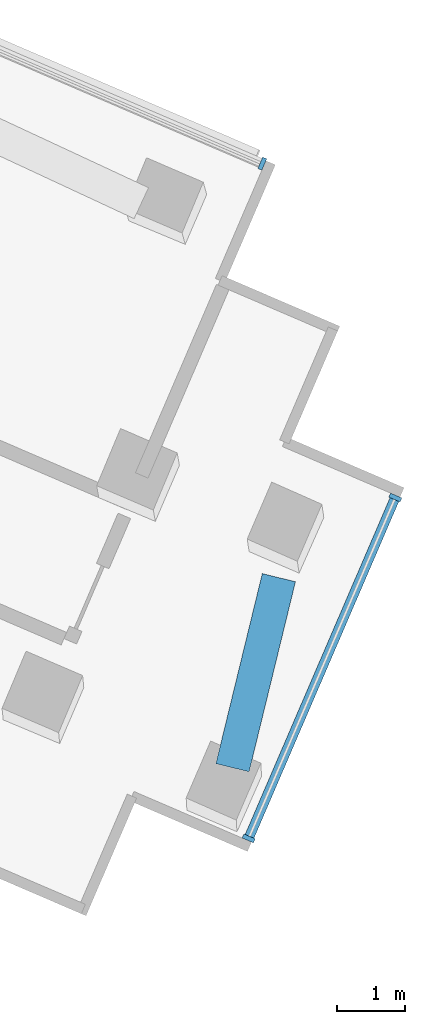
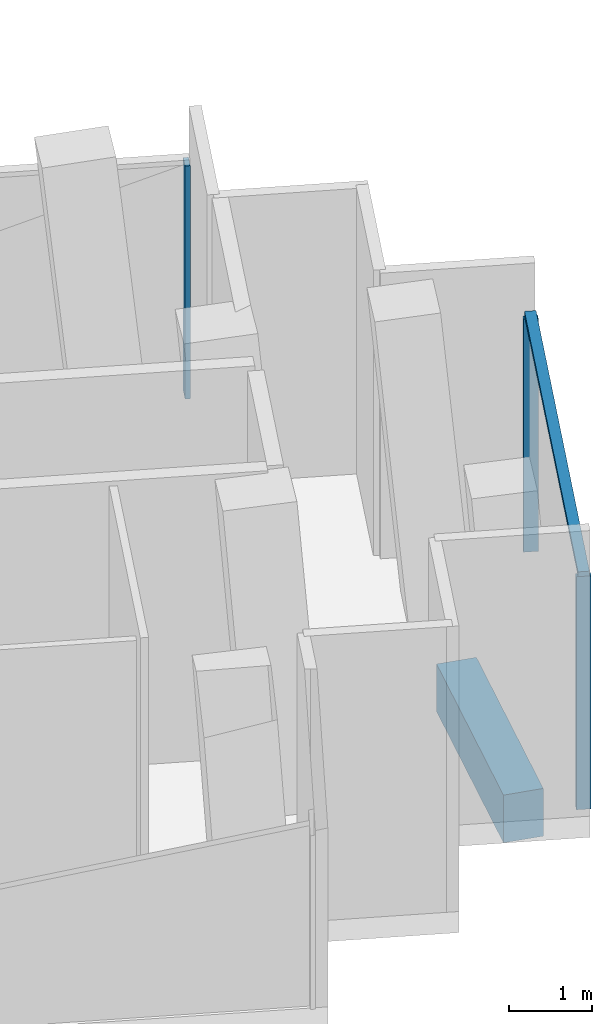
# One storey, part 8 of 17: 4 members, 1 beam, 2 elements without a shape of their own.
"""IFC4 building model written with IfcOpenShell, lengths in metres."""

import ifcopenshell
import ifcopenshell.guid

model = None  # the IFC model being written
_history = None  # IfcOwnerHistory: only IFC2X3 demands one
_inside = {}  # id of a spatial element -> (the spatial element, [elements in it])
_under = {}  # id of a project, library or spatial element -> (it, [spatial elements below it])
_declared = {}  # id of a project -> (the project, [libraries it declares])
_typed = {}  # id of a type object -> (the type object, [elements of that type])
_made_of = {}  # id of a material, layer set ... -> (it, [elements and type objects made of it])


def new_model(schema):
    """Start an empty IFC model of exactly this schema.

    Asked for "IFC4X3", IfcOpenShell would pick the latest addendum, in which some entities
    have other attributes; the version numbers below select the first issue.
    IFC2X3 requires an IfcOwnerHistory on every rooted entity: one is made here for all.
    """
    global model, _history
    if schema == "IFC4X3":
        model = ifcopenshell.file(schema_version=(4, 3, 0, 0))
    else:
        model = ifcopenshell.file(schema=schema)
    _inside.clear()
    _under.clear()
    _declared.clear()
    _typed.clear()
    _made_of.clear()
    _history = None
    if model.schema == "IFC2X3":
        org = make("IfcOrganization", Name="unknown")
        user = make(
            "IfcPersonAndOrganization",
            ThePerson=make("IfcPerson", FamilyName="unknown"),
            TheOrganization=org,
        )
        app = make(
            "IfcApplication",
            ApplicationDeveloper=org,
            Version="unknown",
            ApplicationFullName="unknown",
            ApplicationIdentifier="unknown",
        )
        _history = make(
            "IfcOwnerHistory",
            OwningUser=user,
            OwningApplication=app,
            ChangeAction="ADDED",
            CreationDate=0,
        )
    return model


def make(cls, **values):
    """One entity of the class cls with the attributes given. An attribute that is None is left unset."""
    return model.create_entity(
        cls, **{name: value for name, value in values.items() if value is not None}
    )


def rooted(cls, **values):
    """An entity with a GlobalId (a new one), such as an element, a storey or a relation."""
    return make(cls, GlobalId=ifcopenshell.guid.new(), OwnerHistory=_history, **values)


def si_unit(unit_type, name, prefix=None):
    """IfcSIUnit, for example si_unit("LENGTHUNIT", "METRE", prefix="MILLI")."""
    return make("IfcSIUnit", UnitType=unit_type, Prefix=prefix, Name=name)


def assignment(units):
    """IfcUnitAssignment: the units of a project."""
    return None if units is None else make("IfcUnitAssignment", Units=units)


def point(xyz):
    """IfcCartesianPoint."""
    return None if xyz is None else make("IfcCartesianPoint", Coordinates=xyz)


def direction(xyz):
    """IfcDirection."""
    return None if xyz is None else make("IfcDirection", DirectionRatios=xyz)


def frame(location, z_axis=None, x_axis=None):
    """IfcAxis2Placement3D, a coordinate frame: its origin and axes. An axis left out is left unset."""
    return make(
        "IfcAxis2Placement3D",
        Location=point(location),
        Axis=direction(z_axis),
        RefDirection=direction(x_axis),
    )


def frame_2d(location, x_axis=None):
    """IfcAxis2Placement2D, a coordinate frame in the plane: its origin and x axis."""
    return make(
        "IfcAxis2Placement2D", Location=point(location), RefDirection=direction(x_axis)
    )


def origin():
    """The frame at (0, 0, 0) with its axes left unset."""
    return frame((0.0, 0.0, 0.0))


def origin_2d():
    """The frame at (0, 0) in the plane with its x axis left unset."""
    return frame_2d((0.0, 0.0))


def place(relative_to, where):
    """IfcLocalPlacement: puts the frame where relative to a parent placement (None: the world)."""
    return make(
        "IfcLocalPlacement", PlacementRelTo=relative_to, RelativePlacement=where
    )


def context(
    kind, dimensions, precision=None, world=None, true_north=None, identifier=None
):
    """IfcGeometricRepresentationContext, for example the 3D "Model" context."""
    return make(
        "IfcGeometricRepresentationContext",
        ContextIdentifier=identifier,
        ContextType=kind,
        CoordinateSpaceDimension=dimensions,
        Precision=precision,
        WorldCoordinateSystem=world,
        TrueNorth=true_north,
    )


def subcontext(parent, identifier, kind, view, scale=None):
    """IfcGeometricRepresentationSubContext, for example "Body" below "Model"."""
    return make(
        "IfcGeometricRepresentationSubContext",
        ContextIdentifier=identifier,
        ContextType=kind,
        ParentContext=parent,
        TargetScale=scale,
        TargetView=view,
    )


def project(units=None, contexts=None):
    """IfcProject with its units and contexts."""
    return rooted(
        "IfcProject",
        Name="project",
        RepresentationContexts=contexts,
        UnitsInContext=assignment(units),
    )


def spatial(cls, under=None, at=None, **own):
    """A site, building, storey or space (cls), placed at a placement, below another one or the project."""
    s = rooted(cls, ObjectPlacement=at, **own)
    if under is not None:
        _under.setdefault(under.id(), (under, []))[1].append(s)
    return s


def profile(cls, at=None, kind="AREA", **sizes):
    """A parametric profile (cls). Its sizes go by their IFC names, for example OverallWidth=200.0."""
    return make(cls, ProfileType=kind, Position=at, **sizes)


def rectangle(**sizes):
    """IfcRectangleProfileDef."""
    return profile("IfcRectangleProfileDef", **sizes)


def extrude(swept, where, along, depth):
    """IfcExtrudedAreaSolid: the profile swept, set in the frame where, extruded along a direction by depth."""
    return make(
        "IfcExtrudedAreaSolid",
        SweptArea=swept,
        Position=where,
        ExtrudedDirection=direction(along),
        Depth=depth,
    )


def shape(context_of_items, identifier, shape_type, items):
    """IfcShapeRepresentation: the items that make up one representation, for example the "Body"."""
    return make(
        "IfcShapeRepresentation",
        ContextOfItems=context_of_items,
        RepresentationIdentifier=identifier,
        RepresentationType=shape_type,
        Items=items,
    )


def material(Name=None, Category=None):
    """IfcMaterial."""
    return make("IfcMaterial", Name=Name, Category=Category)


def layer(
    of_material, thickness, ventilated=None, Name=None, Category=None, Priority=None
):
    """IfcMaterialLayer: one layer of a wall or slab, of a material (None: an air gap)."""
    return make(
        "IfcMaterialLayer",
        Material=of_material,
        LayerThickness=thickness,
        IsVentilated=ventilated,
        Name=Name,
        Category=Category,
        Priority=Priority,
    )


def layer_set(layers, Name=None):
    """IfcMaterialLayerSet."""
    return make("IfcMaterialLayerSet", MaterialLayers=layers, LayerSetName=Name)


def material_profile(
    of_material, cross_section, Name=None, Category=None, Priority=None
):
    """IfcMaterialProfile: a cross section and its material."""
    return make(
        "IfcMaterialProfile",
        Name=Name,
        Material=of_material,
        Profile=cross_section,
        Priority=Priority,
        Category=Category,
    )


def profile_set(profiles, Name=None, composite=None):
    """IfcMaterialProfileSet."""
    return make(
        "IfcMaterialProfileSet",
        Name=Name,
        MaterialProfiles=profiles,
        CompositeProfile=composite,
    )


def made_of(thing, what):
    """Note that an element or type object is made of a material, layer set ...; save() writes the relation."""
    if what is not None:
        _made_of.setdefault(what.id(), (what, []))[1].append(thing)
    return thing


def type_object(cls, material=None, **own):
    """A type object (cls), such as IfcWallType, which elements share."""
    return made_of(rooted(cls, **own), material)


def element(
    cls,
    number,
    at=None,
    inside=None,
    cuts=None,
    type_object=None,
    material=None,
    context=None,
    identifier="Body",
    shape_type=None,
    held_by="IfcProductDefinitionShape",
    body=None,
    shapes=None,
    **own,
):
    """One element of the class cls, such as IfcWall. Its Tag is "e" and its number.

    at: its placement. inside: the storey or other place that contains it. cuts: it is an
    opening in that element (IfcRelVoidsElement). A single representation is given by context,
    identifier, shape_type and body (its items); several are given by shapes. held_by: the class
    of the entity that holds the representations. save() writes the other relations.
    """
    e = rooted(cls, Tag="e%d" % number, ObjectPlacement=at, **own)
    if body is not None:
        shapes = [shape(context, identifier, shape_type, body)]
    if shapes is not None:
        e.Representation = make(held_by, Representations=shapes)
    if inside is not None:
        _inside.setdefault(inside.id(), (inside, []))[1].append(e)
    if cuts is not None:
        rooted(
            "IfcRelVoidsElement", RelatingBuildingElement=cuts, RelatedOpeningElement=e
        )
    if type_object is not None:
        _typed.setdefault(type_object.id(), (type_object, []))[1].append(e)
    return made_of(e, material)


def aggregate(whole, parts):
    """IfcRelAggregates: a whole, such as a stair, and the parts it consists of."""
    return rooted("IfcRelAggregates", RelatingObject=whole, RelatedObjects=parts)


def save(model, path):
    """Write the relations noted so far, then the file.

    IfcRelAggregates (storeys below a building ...), IfcRelContainedInSpatialStructure (elements
    in a storey), IfcRelDefinesByType, IfcRelAssociatesMaterial and IfcRelDeclares: one each for
    every whole, place, type object, material and project.
    """
    for whole, parts in _under.values():
        aggregate(whole, parts)
    for where, things in _inside.values():
        rooted(
            "IfcRelContainedInSpatialStructure",
            RelatedElements=things,
            RelatingStructure=where,
        )
    for kind, things in _typed.values():
        rooted("IfcRelDefinesByType", RelatedObjects=things, RelatingType=kind)
    for what, things in _made_of.values():
        rooted("IfcRelAssociatesMaterial", RelatedObjects=things, RelatingMaterial=what)
    for by, libraries in _declared.values():
        rooted("IfcRelDeclares", RelatingContext=by, RelatedDefinitions=libraries)
    model.write(path)


model = new_model("IFC4")

# Units and contexts
model_context = context("Model", 3, precision=1e-05, world=origin(), true_north=direction((0.0, 1.0)))
body_context = subcontext(model_context, "Body", "Model", "MODEL_VIEW")
ifc_project = project(units=[si_unit("LENGTHUNIT", "METRE"), si_unit("AREAUNIT", "SQUARE_METRE"), si_unit("VOLUMEUNIT", "CUBIC_METRE"), si_unit("PLANEANGLEUNIT", "RADIAN"), si_unit("MASSUNIT", "GRAM", prefix="KILO")], contexts=[model_context])

# Site, building, storey
site_placement = place(None, origin())
site = spatial("IfcSite", under=ifc_project, at=site_placement, CompositionType="ELEMENT")
building_placement = place(site_placement, origin())
building = spatial("IfcBuilding", under=site, at=building_placement, Name="Verdalira Terraces Hotel", CompositionType="ELEMENT")
storey_placement = place(building_placement, frame((0.0, 0.0, 60.0)))
storey = spatial("IfcBuildingStorey", under=building, at=storey_placement, Name="L13", CompositionType="ELEMENT", Elevation=60.0)

# Curtain wall, members
ifc_material_1 = material(Name="Clear glass", Category="glass")
ifc_layer = layer(ifc_material_1, 0.179931640625)
ifc_layer_set = layer_set([ifc_layer], Name="CW4 curtain wall")
curtain_wall_type = type_object("IfcCurtainWallType", Name="CW4 curtain wall", PredefinedType="NOTDEFINED", material=ifc_layer_set)
curtain_wall_1_placement = place(storey_placement, origin())
curtain_wall_1 = element("IfcCurtainWall", 1, at=curtain_wall_1_placement, inside=storey, type_object=curtain_wall_type, Name="CW4 curtain wall L13 edge 33", PredefinedType="NOTDEFINED")
ifc_material_2 = material(Name="Terracotta frame", Category="masonry")
ifc_material_profile_1 = material_profile(ifc_material_2, rectangle(XDim=0.064941, YDim=0.179932, at=origin_2d()), Name="MU 65x180")
ifc_profile_set_1 = profile_set([ifc_material_profile_1], Name="Terracotta frame")
member_type_1 = type_object("IfcMemberType", Name="CW4 mullion 65x180", PredefinedType="MULLION", material=ifc_profile_set_1)
member_1_placement = place(storey_placement, frame((33.615967, -17.421631, 0.0), z_axis=(0.0, 0.0, 1.0), x_axis=(0.39522488, 0.918584397, 0.0)))
member_1 = element("IfcMember", 2, at=member_1_placement, type_object=member_type_1, Name="CW4 mullion", PredefinedType="MULLION", context=body_context, shape_type="SweptSolid", body=[
    extrude(rectangle(XDim=0.064941, YDim=0.179932, at=origin_2d()), origin(), (0.0, 0.0, 1.0), 3.419922),
])
member_2_placement = place(storey_placement, frame((35.763916, -12.429199, 0.0), z_axis=(0.0, 0.0, 1.0), x_axis=(0.39522488, 0.918584397, 0.0)))
member_2 = element("IfcMember", 3, at=member_2_placement, type_object=member_type_1, Name="CW4 mullion", PredefinedType="MULLION", context=body_context, shape_type="SweptSolid", body=[
    extrude(rectangle(XDim=0.064941, YDim=0.179932, at=origin_2d()), origin(), (0.0, 0.0, 1.0), 3.419922),
])

# Curtain wall, member
curtain_wall_2_placement = place(storey_placement, origin())
curtain_wall_2 = element("IfcCurtainWall", 4, at=curtain_wall_2_placement, inside=storey, type_object=curtain_wall_type, Name="CW4 curtain wall L13 edge 38", PredefinedType="NOTDEFINED")
member_3_placement = place(storey_placement, frame((33.815674, -7.538574, 0.0), z_axis=(0.0, 0.0, 1.0), x_axis=(-0.918584397, 0.39522488, 0.0)))
member_3 = element("IfcMember", 5, at=member_3_placement, type_object=member_type_1, Name="CW4 mullion", PredefinedType="MULLION", context=body_context, shape_type="SweptSolid", body=[
    extrude(rectangle(XDim=0.064941, YDim=0.179932, at=origin_2d()), origin(), (0.0, 0.0, 1.0), 3.419922),
])
aggregate(curtain_wall_2, [member_3])

# Member
ifc_material_3 = material(Name="Terracotta frame", Category="masonry")
ifc_material_profile_2 = material_profile(ifc_material_3, rectangle(XDim=0.139893, YDim=0.070068, at=origin_2d()), Name="TR 70x140")
ifc_profile_set_2 = profile_set([ifc_material_profile_2], Name="Terracotta frame")
member_type_2 = type_object("IfcMemberType", Name="CW4 transom 70x140", PredefinedType="USERDEFINED", material=ifc_profile_set_2)
member_4_placement = place(storey_placement, frame((33.603027, -17.45166, 3.455078), z_axis=(0.395236778, 0.918579278, 0.0), x_axis=(-0.918579278, 0.395236778, 0.0)))
member_4 = element("IfcMember", 6, at=member_4_placement, type_object=member_type_2, Name="CW4 transom", ObjectType="TRANSOM", PredefinedType="USERDEFINED", context=body_context, shape_type="SweptSolid", body=[
    extrude(rectangle(XDim=0.139893, YDim=0.070068, at=origin_2d()), origin(), (0.0, 0.0, 1.0), 5.5),
])

aggregate(curtain_wall_1, [member_1, member_2, member_4])

# Beam
ifc_material_4 = material(Name="Concrete C70", Category="concrete")
ifc_material_profile_3 = material_profile(ifc_material_4, rectangle(XDim=0.5, YDim=0.699951, at=origin_2d()), Name="RC 500X700")
ifc_profile_set_3 = profile_set([ifc_material_profile_3], Name="Concrete C70")
beam_type = type_object("IfcBeamType", Name="Spandrel beam RC 500X700 C70", PredefinedType="SPANDREL", material=ifc_profile_set_3)
beam_placement = place(storey_placement, frame((33.379395, -16.386475, -0.659912), z_axis=(0.236958142, 0.97151986, 0.0), x_axis=(-0.97151986, 0.236958142, 0.0)))
element("IfcBeam", 7, at=beam_placement, inside=storey, type_object=beam_type, Name="Spandrel beam B27", PredefinedType="SPANDREL", context=body_context, shape_type="SweptSolid", body=[
    extrude(rectangle(XDim=0.5, YDim=0.699951, at=origin_2d()), origin(), (0.0, 0.0, 1.0), 2.865234),
])

save(model, "model.ifc")
